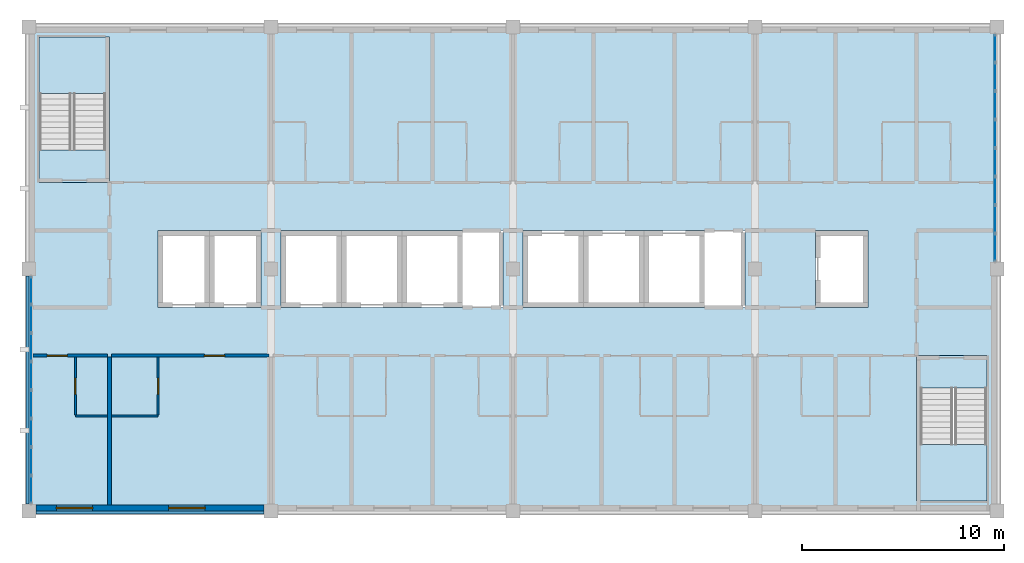
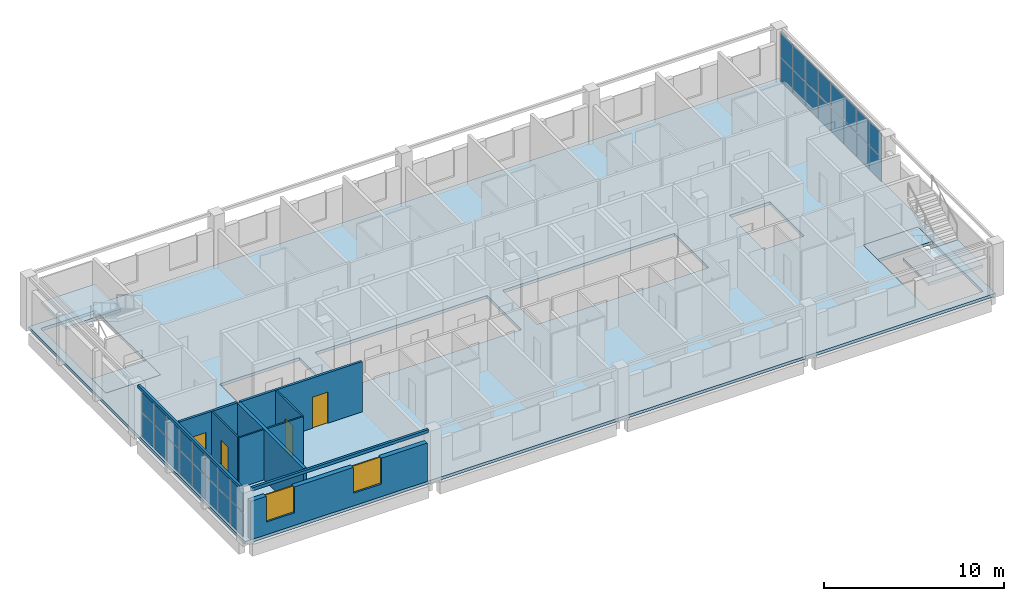
# One storey, part 5 of 11: 32 plates, 10 walls, 5 slabs, 4 doors, 2 windows, 6 openings, 4 elements without a shape of their own.
"""IFC4 building model written with IfcOpenShell, lengths in metres."""

from ifc_helpers import new_model, si_unit, direction, frame, frame_2d, origin, origin_2d, place, context, subcontext, project, spatial, polyline, rectangle, outline, extrude, material, layer, layer_set, type_object, element, fill, aggregate, save


model = new_model("IFC4")

# Units and contexts
model_context = context("Model", 3, precision=1e-05, world=origin(), true_north=direction((0.0, 1.0)))
body_context = subcontext(model_context, "Body", "Model", "MODEL_VIEW")
ifc_project = project(units=[si_unit("LENGTHUNIT", "METRE"), si_unit("AREAUNIT", "SQUARE_METRE"), si_unit("VOLUMEUNIT", "CUBIC_METRE"), si_unit("PLANEANGLEUNIT", "RADIAN"), si_unit("MASSUNIT", "GRAM", prefix="KILO")], contexts=[model_context])

# Site, building, storey
site_placement = place(None, origin())
site = spatial("IfcSite", under=ifc_project, at=site_placement, CompositionType="ELEMENT")
building_placement = place(site_placement, origin())
building = spatial("IfcBuilding", under=site, at=building_placement, Name="Lilac Gate Convention Centre", CompositionType="ELEMENT")
storey_placement = place(building_placement, frame((0.0, 0.0, 53.39990234375)))
storey = spatial("IfcBuildingStorey", under=building, at=storey_placement, Name="L13", CompositionType="ELEMENT", Elevation=53.39990234375)

# Curtain wall, plates
ifc_material_1 = material(Name="Aluminium framed double glazing", Category="aluminium")
ifc_layer_1 = layer(ifc_material_1, 0.199951171875)
ifc_layer_set_1 = layer_set([ifc_layer_1], Name="Aluminium framed double glazing")
curtain_wall_type = type_object("IfcCurtainWallType", Name="Unitised curtain wall 1500", PredefinedType="NOTDEFINED", material=ifc_layer_set_1)
curtain_wall_1_placement = place(storey_placement, origin())
curtain_wall_1 = element("IfcCurtainWall", 1, at=curtain_wall_1_placement, inside=storey, type_object=curtain_wall_type, Name="Curtain wall E L13 2", PredefinedType="NOTDEFINED")
ifc_material_2 = material(Name="Double glazed unit low emissivity")
ifc_layer_2 = layer(ifc_material_2, 0.028076171875)
ifc_layer_set_2 = layer_set([ifc_layer_2], Name="Double glazed unit low emissivity")
plate_type_1 = type_object("IfcPlateType", Name="Curtain wall glass panel 28", PredefinedType="CURTAIN_PANEL", material=ifc_layer_set_2)
plate_1_placement = place(storey_placement, frame((89.89990234375, 235.0712890625, 1.72998046875), z_axis=(0.0, 0.0, 1.0), x_axis=(0.0, 1.0, 0.0)))
plate_1 = element("IfcPlate", 2, at=plate_1_placement, type_object=plate_type_1, Name="CW panel 1.2", PredefinedType="CURTAIN_PANEL", context=body_context, shape_type="SweptSolid", body=[
    extrude(rectangle(XDim=1.322509765625, YDim=0.028076171875, at=origin_2d()), origin(), (0.0, 0.0, 1.0), 1.610107421875),
])
plate_2_placement = place(storey_placement, frame((89.89990234375, 236.46875, 1.72998046875), z_axis=(0.0, 0.0, 1.0), x_axis=(0.0, 1.0, 0.0)))
plate_2 = element("IfcPlate", 3, at=plate_2_placement, type_object=plate_type_1, Name="CW panel 2.2", PredefinedType="CURTAIN_PANEL", context=body_context, shape_type="SweptSolid", body=[
    extrude(rectangle(XDim=1.3525390625, YDim=0.028076171875, at=origin_2d()), origin(), (0.0, 0.0, 1.0), 1.610107421875),
])
plate_3_placement = place(storey_placement, frame((89.89990234375, 237.88134765625, 1.72998046875), z_axis=(0.0, 0.0, 1.0), x_axis=(0.0, 1.0, 0.0)))
plate_3 = element("IfcPlate", 4, at=plate_3_placement, type_object=plate_type_1, Name="CW panel 3.2", PredefinedType="CURTAIN_PANEL", context=body_context, shape_type="SweptSolid", body=[
    extrude(rectangle(XDim=1.3525390625, YDim=0.028076171875, at=origin_2d()), origin(), (0.0, 0.0, 1.0), 1.610107421875),
])
plate_4_placement = place(storey_placement, frame((89.89990234375, 239.293701171875, 1.72998046875), z_axis=(0.0, 0.0, 1.0), x_axis=(0.0, 1.0, 0.0)))
plate_4 = element("IfcPlate", 5, at=plate_4_placement, type_object=plate_type_1, Name="CW panel 4.2", PredefinedType="CURTAIN_PANEL", context=body_context, shape_type="SweptSolid", body=[
    extrude(rectangle(XDim=1.3525390625, YDim=0.028076171875, at=origin_2d()), origin(), (0.0, 0.0, 1.0), 1.610107421875),
])
plate_5_placement = place(storey_placement, frame((89.89990234375, 240.706298828125, 1.72998046875), z_axis=(0.0, 0.0, 1.0), x_axis=(0.0, 1.0, 0.0)))
plate_5 = element("IfcPlate", 6, at=plate_5_placement, type_object=plate_type_1, Name="CW panel 5.2", PredefinedType="CURTAIN_PANEL", context=body_context, shape_type="SweptSolid", body=[
    extrude(rectangle(XDim=1.3525390625, YDim=0.028076171875, at=origin_2d()), origin(), (0.0, 0.0, 1.0), 1.610107421875),
])
plate_6_placement = place(storey_placement, frame((89.89990234375, 242.11865234375, 1.72998046875), z_axis=(0.0, 0.0, 1.0), x_axis=(0.0, 1.0, 0.0)))
plate_6 = element("IfcPlate", 7, at=plate_6_placement, type_object=plate_type_1, Name="CW panel 6.2", PredefinedType="CURTAIN_PANEL", context=body_context, shape_type="SweptSolid", body=[
    extrude(rectangle(XDim=1.3525390625, YDim=0.028076171875, at=origin_2d()), origin(), (0.0, 0.0, 1.0), 1.610107421875),
])
plate_7_placement = place(storey_placement, frame((89.89990234375, 243.53125, 1.72998046875), z_axis=(0.0, 0.0, 1.0), x_axis=(0.0, 1.0, 0.0)))
plate_7 = element("IfcPlate", 8, at=plate_7_placement, type_object=plate_type_1, Name="CW panel 7.2", PredefinedType="CURTAIN_PANEL", context=body_context, shape_type="SweptSolid", body=[
    extrude(rectangle(XDim=1.3525390625, YDim=0.028076171875, at=origin_2d()), origin(), (0.0, 0.0, 1.0), 1.610107421875),
])
plate_8_placement = place(storey_placement, frame((89.89990234375, 244.9287109375, 1.72998046875), z_axis=(0.0, 0.0, 1.0), x_axis=(0.0, 1.0, 0.0)))
plate_8 = element("IfcPlate", 9, at=plate_8_placement, type_object=plate_type_1, Name="CW panel 8.2", PredefinedType="CURTAIN_PANEL", context=body_context, shape_type="SweptSolid", body=[
    extrude(rectangle(XDim=1.322509765625, YDim=0.028076171875, at=origin_2d()), origin(), (0.0, 0.0, 1.0), 1.610107421875),
])

curtain_wall_2_placement = place(storey_placement, origin())
curtain_wall_2 = element("IfcCurtainWall", 10, at=curtain_wall_2_placement, inside=storey, type_object=curtain_wall_type, Name="Curtain wall W L13 2", PredefinedType="NOTDEFINED")
plate_9_placement = place(storey_placement, frame((42.10009765625, 232.9287109375, 1.72998046875), z_axis=(0.0, 0.0, 1.0), x_axis=(0.0, -1.0, 0.0)))
plate_9 = element("IfcPlate", 11, at=plate_9_placement, type_object=plate_type_1, Name="CW panel 1.2", PredefinedType="CURTAIN_PANEL", context=body_context, shape_type="SweptSolid", body=[
    extrude(rectangle(XDim=1.322509765625, YDim=0.028076171875, at=origin_2d()), origin(), (0.0, 0.0, 1.0), 1.610107421875),
])
plate_10_placement = place(storey_placement, frame((42.10009765625, 231.53125, 1.72998046875), z_axis=(0.0, 0.0, 1.0), x_axis=(0.0, -1.0, 0.0)))
plate_10 = element("IfcPlate", 12, at=plate_10_placement, type_object=plate_type_1, Name="CW panel 2.2", PredefinedType="CURTAIN_PANEL", context=body_context, shape_type="SweptSolid", body=[
    extrude(rectangle(XDim=1.3525390625, YDim=0.028076171875, at=origin_2d()), origin(), (0.0, 0.0, 1.0), 1.610107421875),
])
plate_11_placement = place(storey_placement, frame((42.10009765625, 230.11865234375, 1.72998046875), z_axis=(0.0, 0.0, 1.0), x_axis=(0.0, -1.0, 0.0)))
plate_11 = element("IfcPlate", 13, at=plate_11_placement, type_object=plate_type_1, Name="CW panel 3.2", PredefinedType="CURTAIN_PANEL", context=body_context, shape_type="SweptSolid", body=[
    extrude(rectangle(XDim=1.3525390625, YDim=0.028076171875, at=origin_2d()), origin(), (0.0, 0.0, 1.0), 1.610107421875),
])
plate_12_placement = place(storey_placement, frame((42.10009765625, 228.706298828125, 1.72998046875), z_axis=(0.0, 0.0, 1.0), x_axis=(0.0, -1.0, 0.0)))
plate_12 = element("IfcPlate", 14, at=plate_12_placement, type_object=plate_type_1, Name="CW panel 4.2", PredefinedType="CURTAIN_PANEL", context=body_context, shape_type="SweptSolid", body=[
    extrude(rectangle(XDim=1.3525390625, YDim=0.028076171875, at=origin_2d()), origin(), (0.0, 0.0, 1.0), 1.610107421875),
])
plate_13_placement = place(storey_placement, frame((42.10009765625, 227.293701171875, 1.72998046875), z_axis=(0.0, 0.0, 1.0), x_axis=(0.0, -1.0, 0.0)))
plate_13 = element("IfcPlate", 15, at=plate_13_placement, type_object=plate_type_1, Name="CW panel 5.2", PredefinedType="CURTAIN_PANEL", context=body_context, shape_type="SweptSolid", body=[
    extrude(rectangle(XDim=1.3525390625, YDim=0.028076171875, at=origin_2d()), origin(), (0.0, 0.0, 1.0), 1.610107421875),
])
plate_14_placement = place(storey_placement, frame((42.10009765625, 225.88134765625, 1.72998046875), z_axis=(0.0, 0.0, 1.0), x_axis=(0.0, -1.0, 0.0)))
plate_14 = element("IfcPlate", 16, at=plate_14_placement, type_object=plate_type_1, Name="CW panel 6.2", PredefinedType="CURTAIN_PANEL", context=body_context, shape_type="SweptSolid", body=[
    extrude(rectangle(XDim=1.3525390625, YDim=0.028076171875, at=origin_2d()), origin(), (0.0, 0.0, 1.0), 1.610107421875),
])
plate_15_placement = place(storey_placement, frame((42.10009765625, 224.46875, 1.72998046875), z_axis=(0.0, 0.0, 1.0), x_axis=(0.0, -1.0, 0.0)))
plate_15 = element("IfcPlate", 17, at=plate_15_placement, type_object=plate_type_1, Name="CW panel 7.2", PredefinedType="CURTAIN_PANEL", context=body_context, shape_type="SweptSolid", body=[
    extrude(rectangle(XDim=1.3525390625, YDim=0.028076171875, at=origin_2d()), origin(), (0.0, 0.0, 1.0), 1.610107421875),
])
plate_16_placement = place(storey_placement, frame((42.10009765625, 223.0712890625, 1.72998046875), z_axis=(0.0, 0.0, 1.0), x_axis=(0.0, -1.0, 0.0)))
plate_16 = element("IfcPlate", 18, at=plate_16_placement, type_object=plate_type_1, Name="CW panel 8.2", PredefinedType="CURTAIN_PANEL", context=body_context, shape_type="SweptSolid", body=[
    extrude(rectangle(XDim=1.322509765625, YDim=0.028076171875, at=origin_2d()), origin(), (0.0, 0.0, 1.0), 1.610107421875),
])

# Plate
ifc_material_3 = material(Name="Insulated aluminium spandrel panel", Category="aluminium")
ifc_layer_3 = layer(ifc_material_3, 0.028076171875)
ifc_layer_set_3 = layer_set([ifc_layer_3], Name="Insulated aluminium spandrel panel")
plate_type_2 = type_object("IfcPlateType", Name="Curtain wall spandrel panel 28", PredefinedType="CURTAIN_PANEL", material=ifc_layer_set_3)
plate_17_placement = place(storey_placement, frame((89.89990234375, 235.0712890625, 0.06005859375), z_axis=(0.0, 0.0, 1.0), x_axis=(0.0, 1.0, 0.0)))
plate_17 = element("IfcPlate", 19, at=plate_17_placement, type_object=plate_type_2, Name="CW spandrel 1.1", PredefinedType="CURTAIN_PANEL", context=body_context, shape_type="SweptSolid", body=[
    extrude(rectangle(XDim=1.322509765625, YDim=0.028076171875, at=origin_2d()), origin(), (0.0, 0.0, 1.0), 1.610107421875),
])

plate_18_placement = place(storey_placement, frame((89.89990234375, 236.46875, 0.06005859375), z_axis=(0.0, 0.0, 1.0), x_axis=(0.0, 1.0, 0.0)))
plate_18 = element("IfcPlate", 20, at=plate_18_placement, type_object=plate_type_2, Name="CW spandrel 2.1", PredefinedType="CURTAIN_PANEL", context=body_context, shape_type="SweptSolid", body=[
    extrude(rectangle(XDim=1.3525390625, YDim=0.028076171875, at=origin_2d()), origin(), (0.0, 0.0, 1.0), 1.610107421875),
])

plate_19_placement = place(storey_placement, frame((89.89990234375, 237.88134765625, 0.06005859375), z_axis=(0.0, 0.0, 1.0), x_axis=(0.0, 1.0, 0.0)))
plate_19 = element("IfcPlate", 21, at=plate_19_placement, type_object=plate_type_2, Name="CW spandrel 3.1", PredefinedType="CURTAIN_PANEL", context=body_context, shape_type="SweptSolid", body=[
    extrude(rectangle(XDim=1.3525390625, YDim=0.028076171875, at=origin_2d()), origin(), (0.0, 0.0, 1.0), 1.610107421875),
])

plate_20_placement = place(storey_placement, frame((89.89990234375, 239.293701171875, 0.06005859375), z_axis=(0.0, 0.0, 1.0), x_axis=(0.0, 1.0, 0.0)))
plate_20 = element("IfcPlate", 22, at=plate_20_placement, type_object=plate_type_2, Name="CW spandrel 4.1", PredefinedType="CURTAIN_PANEL", context=body_context, shape_type="SweptSolid", body=[
    extrude(rectangle(XDim=1.3525390625, YDim=0.028076171875, at=origin_2d()), origin(), (0.0, 0.0, 1.0), 1.610107421875),
])

plate_21_placement = place(storey_placement, frame((89.89990234375, 240.706298828125, 0.06005859375), z_axis=(0.0, 0.0, 1.0), x_axis=(0.0, 1.0, 0.0)))
plate_21 = element("IfcPlate", 23, at=plate_21_placement, type_object=plate_type_2, Name="CW spandrel 5.1", PredefinedType="CURTAIN_PANEL", context=body_context, shape_type="SweptSolid", body=[
    extrude(rectangle(XDim=1.3525390625, YDim=0.028076171875, at=origin_2d()), origin(), (0.0, 0.0, 1.0), 1.610107421875),
])

plate_22_placement = place(storey_placement, frame((89.89990234375, 242.11865234375, 0.06005859375), z_axis=(0.0, 0.0, 1.0), x_axis=(0.0, 1.0, 0.0)))
plate_22 = element("IfcPlate", 24, at=plate_22_placement, type_object=plate_type_2, Name="CW spandrel 6.1", PredefinedType="CURTAIN_PANEL", context=body_context, shape_type="SweptSolid", body=[
    extrude(rectangle(XDim=1.3525390625, YDim=0.028076171875, at=origin_2d()), origin(), (0.0, 0.0, 1.0), 1.610107421875),
])

plate_23_placement = place(storey_placement, frame((89.89990234375, 243.53125, 0.06005859375), z_axis=(0.0, 0.0, 1.0), x_axis=(0.0, 1.0, 0.0)))
plate_23 = element("IfcPlate", 25, at=plate_23_placement, type_object=plate_type_2, Name="CW spandrel 7.1", PredefinedType="CURTAIN_PANEL", context=body_context, shape_type="SweptSolid", body=[
    extrude(rectangle(XDim=1.3525390625, YDim=0.028076171875, at=origin_2d()), origin(), (0.0, 0.0, 1.0), 1.610107421875),
])

plate_24_placement = place(storey_placement, frame((89.89990234375, 244.9287109375, 0.06005859375), z_axis=(0.0, 0.0, 1.0), x_axis=(0.0, 1.0, 0.0)))
plate_24 = element("IfcPlate", 26, at=plate_24_placement, type_object=plate_type_2, Name="CW spandrel 8.1", PredefinedType="CURTAIN_PANEL", context=body_context, shape_type="SweptSolid", body=[
    extrude(rectangle(XDim=1.322509765625, YDim=0.028076171875, at=origin_2d()), origin(), (0.0, 0.0, 1.0), 1.610107421875),
])

aggregate(curtain_wall_1, [plate_17, plate_1, plate_18, plate_2, plate_19, plate_3, plate_20, plate_4, plate_21, plate_5, plate_22, plate_6, plate_23, plate_7, plate_24, plate_8])

plate_25_placement = place(storey_placement, frame((42.10009765625, 232.9287109375, 0.06005859375), z_axis=(0.0, 0.0, 1.0), x_axis=(0.0, -1.0, 0.0)))
plate_25 = element("IfcPlate", 27, at=plate_25_placement, type_object=plate_type_2, Name="CW spandrel 1.1", PredefinedType="CURTAIN_PANEL", context=body_context, shape_type="SweptSolid", body=[
    extrude(rectangle(XDim=1.322509765625, YDim=0.028076171875, at=origin_2d()), origin(), (0.0, 0.0, 1.0), 1.610107421875),
])

plate_26_placement = place(storey_placement, frame((42.10009765625, 231.53125, 0.06005859375), z_axis=(0.0, 0.0, 1.0), x_axis=(0.0, -1.0, 0.0)))
plate_26 = element("IfcPlate", 28, at=plate_26_placement, type_object=plate_type_2, Name="CW spandrel 2.1", PredefinedType="CURTAIN_PANEL", context=body_context, shape_type="SweptSolid", body=[
    extrude(rectangle(XDim=1.3525390625, YDim=0.028076171875, at=origin_2d()), origin(), (0.0, 0.0, 1.0), 1.610107421875),
])

plate_27_placement = place(storey_placement, frame((42.10009765625, 230.11865234375, 0.06005859375), z_axis=(0.0, 0.0, 1.0), x_axis=(0.0, -1.0, 0.0)))
plate_27 = element("IfcPlate", 29, at=plate_27_placement, type_object=plate_type_2, Name="CW spandrel 3.1", PredefinedType="CURTAIN_PANEL", context=body_context, shape_type="SweptSolid", body=[
    extrude(rectangle(XDim=1.3525390625, YDim=0.028076171875, at=origin_2d()), origin(), (0.0, 0.0, 1.0), 1.610107421875),
])

plate_28_placement = place(storey_placement, frame((42.10009765625, 228.706298828125, 0.06005859375), z_axis=(0.0, 0.0, 1.0), x_axis=(0.0, -1.0, 0.0)))
plate_28 = element("IfcPlate", 30, at=plate_28_placement, type_object=plate_type_2, Name="CW spandrel 4.1", PredefinedType="CURTAIN_PANEL", context=body_context, shape_type="SweptSolid", body=[
    extrude(rectangle(XDim=1.3525390625, YDim=0.028076171875, at=origin_2d()), origin(), (0.0, 0.0, 1.0), 1.610107421875),
])

plate_29_placement = place(storey_placement, frame((42.10009765625, 227.293701171875, 0.06005859375), z_axis=(0.0, 0.0, 1.0), x_axis=(0.0, -1.0, 0.0)))
plate_29 = element("IfcPlate", 31, at=plate_29_placement, type_object=plate_type_2, Name="CW spandrel 5.1", PredefinedType="CURTAIN_PANEL", context=body_context, shape_type="SweptSolid", body=[
    extrude(rectangle(XDim=1.3525390625, YDim=0.028076171875, at=origin_2d()), origin(), (0.0, 0.0, 1.0), 1.610107421875),
])

plate_30_placement = place(storey_placement, frame((42.10009765625, 225.88134765625, 0.06005859375), z_axis=(0.0, 0.0, 1.0), x_axis=(0.0, -1.0, 0.0)))
plate_30 = element("IfcPlate", 32, at=plate_30_placement, type_object=plate_type_2, Name="CW spandrel 6.1", PredefinedType="CURTAIN_PANEL", context=body_context, shape_type="SweptSolid", body=[
    extrude(rectangle(XDim=1.3525390625, YDim=0.028076171875, at=origin_2d()), origin(), (0.0, 0.0, 1.0), 1.610107421875),
])

plate_31_placement = place(storey_placement, frame((42.10009765625, 224.46875, 0.06005859375), z_axis=(0.0, 0.0, 1.0), x_axis=(0.0, -1.0, 0.0)))
plate_31 = element("IfcPlate", 33, at=plate_31_placement, type_object=plate_type_2, Name="CW spandrel 7.1", PredefinedType="CURTAIN_PANEL", context=body_context, shape_type="SweptSolid", body=[
    extrude(rectangle(XDim=1.3525390625, YDim=0.028076171875, at=origin_2d()), origin(), (0.0, 0.0, 1.0), 1.610107421875),
])

plate_32_placement = place(storey_placement, frame((42.10009765625, 223.0712890625, 0.06005859375), z_axis=(0.0, 0.0, 1.0), x_axis=(0.0, -1.0, 0.0)))
plate_32 = element("IfcPlate", 34, at=plate_32_placement, type_object=plate_type_2, Name="CW spandrel 8.1", PredefinedType="CURTAIN_PANEL", context=body_context, shape_type="SweptSolid", body=[
    extrude(rectangle(XDim=1.322509765625, YDim=0.028076171875, at=origin_2d()), origin(), (0.0, 0.0, 1.0), 1.610107421875),
])

aggregate(curtain_wall_2, [plate_25, plate_9, plate_26, plate_10, plate_27, plate_11, plate_28, plate_12, plate_29, plate_13, plate_30, plate_14, plate_31, plate_15, plate_32, plate_16])

# Stair, slabs
ifc_material_4 = material(Name="Concrete C40", Category="concrete")
stair_type = type_object("IfcStairType", Name="Exit stair", PredefinedType="DOUBLE_RETURN_STAIR", material=ifc_material_4)
stair_1_placement = place(storey_placement, origin())
stair_1 = element("IfcStair", 35, at=stair_1_placement, inside=storey, type_object=stair_type, Name="Exit stair NW L13", PredefinedType="DOUBLE_RETURN_STAIR")
ifc_layer_4 = layer(ifc_material_4, 0.199951171875)
ifc_layer_set_4 = layer_set([ifc_layer_4], Name="Concrete C40")
slab_type_1 = type_object("IfcSlabType", Name="Exit stair landing", PredefinedType="LANDING", material=ifc_layer_set_4)
slab_1_placement = place(storey_placement, frame((0.0, 0.0, -0.199951171875)))
slab_1 = element("IfcSlab", 36, at=slab_1_placement, type_object=slab_type_1, Name="ST-NW landing 1", PredefinedType="LANDING", context=body_context, shape_type="SweptSolid", body=[
    extrude(outline(polyline([(42.5, 238.300048828125), (46.0, 238.300048828125), (46.0, 239.89990234375), (42.5, 239.89990234375), (42.5, 238.300048828125)])), origin(), (0.0, 0.0, 1.0), 0.199951171875),
])
slab_2_placement = place(storey_placement, frame((0.0, 0.0, 1.60009765625)))
slab_2 = element("IfcSlab", 37, at=slab_2_placement, type_object=slab_type_1, Name="ST-NW landing 2", PredefinedType="LANDING", context=body_context, shape_type="SweptSolid", body=[
    extrude(outline(polyline([(42.5, 242.699951171875), (46.0, 242.699951171875), (46.0, 245.5), (42.5, 245.5), (42.5, 242.699951171875)])), origin(), (0.0, 0.0, 1.0), 0.199951171875),
])
aggregate(stair_1, [slab_1, slab_2])

stair_2_placement = place(storey_placement, origin())
stair_2 = element("IfcStair", 38, at=stair_2_placement, inside=storey, type_object=stair_type, Name="Exit stair SE L13", PredefinedType="DOUBLE_RETURN_STAIR")
slab_3_placement = place(storey_placement, frame((0.0, 0.0, -0.199951171875)))
slab_3 = element("IfcSlab", 39, at=slab_3_placement, type_object=slab_type_1, Name="ST-SE landing 1", PredefinedType="LANDING", context=body_context, shape_type="SweptSolid", body=[
    extrude(outline(polyline([(86.0, 228.10009765625), (89.5, 228.10009765625), (89.5, 229.699951171875), (86.0, 229.699951171875), (86.0, 228.10009765625)])), origin(), (0.0, 0.0, 1.0), 0.199951171875),
])
slab_4_placement = place(storey_placement, frame((0.0, 0.0, 1.60009765625)))
slab_4 = element("IfcSlab", 40, at=slab_4_placement, type_object=slab_type_1, Name="ST-SE landing 2", PredefinedType="LANDING", context=body_context, shape_type="SweptSolid", body=[
    extrude(outline(polyline([(86.0, 222.5), (89.5, 222.5), (89.5, 225.300048828125), (86.0, 225.300048828125), (86.0, 222.5)])), origin(), (0.0, 0.0, 1.0), 0.199951171875),
])
aggregate(stair_2, [slab_3, slab_4])

# Slab
ifc_layer_5 = layer(ifc_material_4, 0.199951171875)
ifc_layer_set_5 = layer_set([ifc_layer_5], Name="Concrete C40")
slab_type_2 = type_object("IfcSlabType", Name="Floor slab 200 C40", PredefinedType="FLOOR", material=ifc_layer_set_5)
slab_5_placement = place(storey_placement, frame((0.0, 0.0, -0.199951171875)))
element("IfcSlab", 41, at=slab_5_placement, inside=storey, type_object=slab_type_2, Name="FS3 slab L13 1", PredefinedType="FLOOR", context=body_context, shape_type="SweptSolid", body=[
    extrude(outline(polyline([(42.0, 222.0), (42.0, 246.0), (90.0, 246.0), (90.0, 222.0), (42.0, 222.0)]), holes=[polyline([(48.39990234375, 235.89990234375), (48.39990234375, 232.10009765625), (50.949951171875, 232.10009765625), (53.5, 232.10009765625), (53.5, 235.89990234375), (50.949951171875, 235.89990234375), (48.39990234375, 235.89990234375)]), polyline([(57.5, 235.89990234375), (54.5, 235.89990234375), (54.5, 232.10009765625), (57.5, 232.10009765625), (60.5, 232.10009765625), (63.5, 232.10009765625), (65.5, 232.10009765625), (65.5, 235.89990234375), (63.5, 235.89990234375), (60.5, 235.89990234375), (57.5, 235.89990234375)]), polyline([(42.5, 245.5), (42.5, 238.300048828125), (46.0, 238.300048828125), (46.0, 245.5), (42.5, 245.5)]), polyline([(89.5, 229.699951171875), (86.0, 229.699951171875), (86.0, 222.5), (89.5, 222.5), (89.5, 229.699951171875)]), polyline([(69.5, 235.89990234375), (66.5, 235.89990234375), (66.5, 232.10009765625), (69.5, 232.10009765625), (72.5, 232.10009765625), (75.5, 232.10009765625), (77.5, 232.10009765625), (77.5, 235.89990234375), (75.5, 235.89990234375), (72.5, 235.89990234375), (69.5, 235.89990234375)]), polyline([(83.60009765625, 235.89990234375), (81.0, 235.89990234375), (81.0, 232.10009765625), (83.60009765625, 232.10009765625), (83.60009765625, 235.89990234375)])]), origin(), (0.0, 0.0, 1.0), 0.199951171875),
])

# Wall, opening, door
ifc_material_5 = material(Name="Gypsum board on steel stud", Category="steel")
ifc_layer_6 = layer(ifc_material_5, 0.14990234375)
ifc_layer_set_6 = layer_set([ifc_layer_6], Name="Gypsum board on steel stud")
wall_type_1 = type_object("IfcWallType", Name="Corridor wall 150", PredefinedType="PARTITIONING", material=ifc_layer_set_6)
wall_1_placement = place(storey_placement, frame((45.89990234375, 229.699951171875, 0.0), z_axis=(0.0, 0.0, 1.0), x_axis=(-1.0, 0.0, 0.0)))
wall_1 = element("IfcWall", 42, at=wall_1_placement, inside=storey, type_object=wall_type_1, Name="Corridor wall 150 front 1301", PredefinedType="PARTITIONING", context=body_context, shape_type="SweptSolid", body=[
    extrude(rectangle(XDim=3.69970703125, YDim=0.14990234375, at=frame_2d((1.849853515625, 0.0))), origin(), (0.0, 0.0, 1.0), 3.400146484375),
])
opening_1_placement = place(wall_1_placement, frame((2.0, 0.0, 0.0)))
opening_1 = element("IfcOpeningElement", 43, at=opening_1_placement, cuts=wall_1, Name="Opening T13-008", PredefinedType="OPENING", context=body_context, shape_type="SweptSolid", body=[
    extrude(rectangle(XDim=1.0, YDim=2.10009765625, at=frame_2d((0.5, 1.050048828125))), frame((0.0, 0.0849609375, 0.0), z_axis=(0.0, -1.0, 0.0), x_axis=(1.0, 0.0, 0.0)), (0.0, 0.0, 1.0), 0.169921875),
])
ifc_material_6 = material(Name="Timber", Category="wood")
door_type_1 = type_object("IfcDoorType", Name="Guest room entrance door 1000", OperationType="SINGLE_SWING_LEFT", PredefinedType="DOOR", material=ifc_material_6)
door_1_placement = place(opening_1_placement, origin())
door_1 = element("IfcDoor", 44, at=door_1_placement, inside=storey, type_object=door_type_1, Name="Guest room door 1301", OperationType="SINGLE_SWING_LEFT", OverallHeight=2.10009765625, OverallWidth=1.0, PredefinedType="DOOR", context=body_context, shape_type="SweptSolid", body=[
    extrude(rectangle(XDim=1.0, YDim=2.10009765625, at=frame_2d((0.5, 1.050048828125))), frame((0.0, 0.02490234375, 0.0), z_axis=(0.0, -1.0, 0.0), x_axis=(1.0, 0.0, 0.0)), (0.0, 0.0, 1.0), 0.050048828125),
])
fill(opening_1, door_1)

wall_2_placement = place(storey_placement, frame((53.89990234375, 229.699951171875, 0.0), z_axis=(0.0, 0.0, 1.0), x_axis=(-1.0, 0.0, 0.0)))
wall_2 = element("IfcWall", 45, at=wall_2_placement, inside=storey, type_object=wall_type_1, Name="Corridor wall 150 front 1302", PredefinedType="PARTITIONING", context=body_context, shape_type="SweptSolid", body=[
    extrude(rectangle(XDim=7.7998046875, YDim=0.14990234375, at=frame_2d((3.89990234375, 0.0))), origin(), (0.0, 0.0, 1.0), 3.400146484375),
])
opening_2_placement = place(wall_2_placement, frame((2.199951171875, 0.0, 0.0)))
opening_2 = element("IfcOpeningElement", 46, at=opening_2_placement, cuts=wall_2, Name="Opening T13-010", PredefinedType="OPENING", context=body_context, shape_type="SweptSolid", body=[
    extrude(rectangle(XDim=1.0, YDim=2.10009765625, at=frame_2d((0.5, 1.050048828125))), frame((0.0, 0.0849609375, 0.0), z_axis=(0.0, -1.0, 0.0), x_axis=(1.0, 0.0, 0.0)), (0.0, 0.0, 1.0), 0.169921875),
])
door_2_placement = place(opening_2_placement, origin())
door_2 = element("IfcDoor", 47, at=door_2_placement, inside=storey, type_object=door_type_1, Name="Guest room door 1302", OperationType="SINGLE_SWING_LEFT", OverallHeight=2.10009765625, OverallWidth=1.0, PredefinedType="DOOR", context=body_context, shape_type="SweptSolid", body=[
    extrude(rectangle(XDim=1.0, YDim=2.10009765625, at=frame_2d((0.5, 1.050048828125))), frame((0.0, 0.02490234375, 0.0), z_axis=(0.0, -1.0, 0.0), x_axis=(1.0, 0.0, 0.0)), (0.0, 0.0, 1.0), 0.050048828125),
])
fill(opening_2, door_2)

# Wall
ifc_layer_7 = layer(ifc_material_5, 0.10009765625)
ifc_layer_set_7 = layer_set([ifc_layer_7], Name="Gypsum board on steel stud")
wall_type_2 = type_object("IfcWallType", Name="En-suite wall 100", PredefinedType="PARTITIONING", material=ifc_layer_set_7)
wall_3_placement = place(storey_placement, frame((44.300048828125, 226.699951171875, 0.0), z_axis=(0.0, 0.0, 1.0), x_axis=(1.0, 0.0, 0.0)))
element("IfcWall", 48, at=wall_3_placement, inside=storey, type_object=wall_type_2, Name="En-suite wall 100 bath 1301", PredefinedType="PARTITIONING", context=body_context, shape_type="SweptSolid", body=[
    extrude(rectangle(XDim=1.599853515625, YDim=0.10009765625, at=frame_2d((0.7998046875, 0.0))), origin(), (0.0, 0.0, 1.0), 3.400146484375),
])

# Wall, opening, door
wall_4_placement = place(storey_placement, frame((44.300048828125, 226.75, 0.0), z_axis=(0.0, 0.0, 1.0), x_axis=(0.0, 1.0, 0.0)))
wall_4 = element("IfcWall", 49, at=wall_4_placement, inside=storey, type_object=wall_type_2, Name="En-suite wall 100 bath side 1301", PredefinedType="PARTITIONING", context=body_context, shape_type="SweptSolid", body=[
    extrude(rectangle(XDim=2.875, YDim=0.10009765625, at=frame_2d((1.4375, 0.0))), origin(), (0.0, 0.0, 1.0), 3.400146484375),
])
opening_3_placement = place(wall_4_placement, frame((1.03759765625, 0.0, 0.0)))
opening_3 = element("IfcOpeningElement", 50, at=opening_3_placement, cuts=wall_4, Name="Opening T13-009", PredefinedType="OPENING", context=body_context, shape_type="SweptSolid", body=[
    extrude(rectangle(XDim=0.800048828125, YDim=2.10009765625, at=frame_2d((0.39990234375, 1.050048828125))), frame((0.0, 0.06005859375, 0.0), z_axis=(0.0, -1.0, 0.0), x_axis=(1.0, 0.0, 0.0)), (0.0, 0.0, 1.0), 0.1201171875),
])
door_type_2 = type_object("IfcDoorType", Name="En-suite door 800", OperationType="SINGLE_SWING_LEFT", PredefinedType="DOOR", material=ifc_material_6)
door_3_placement = place(opening_3_placement, origin())
door_3 = element("IfcDoor", 51, at=door_3_placement, inside=storey, type_object=door_type_2, Name="En-suite door 1301", OperationType="SINGLE_SWING_RIGHT", OverallHeight=2.10009765625, OverallWidth=0.800048828125, PredefinedType="DOOR", context=body_context, shape_type="SweptSolid", body=[
    extrude(rectangle(XDim=0.800048828125, YDim=2.10009765625, at=frame_2d((0.39990234375, 1.050048828125))), frame((0.0, 0.02490234375, 0.0), z_axis=(0.0, -1.0, 0.0), x_axis=(1.0, 0.0, 0.0)), (0.0, 0.0, 1.0), 0.050048828125),
])
fill(opening_3, door_3)

# Wall
wall_5_placement = place(storey_placement, frame((46.10009765625, 226.699951171875, 0.0), z_axis=(0.0, 0.0, 1.0), x_axis=(1.0, 0.0, 0.0)))
element("IfcWall", 52, at=wall_5_placement, inside=storey, type_object=wall_type_2, Name="En-suite wall 100 bath 1302", PredefinedType="PARTITIONING", context=body_context, shape_type="SweptSolid", body=[
    extrude(rectangle(XDim=2.2998046875, YDim=0.10009765625, at=frame_2d((1.14990234375, 0.0))), origin(), (0.0, 0.0, 1.0), 3.400146484375),
])

# Wall, opening, door
wall_6_placement = place(storey_placement, frame((48.39990234375, 229.625, 0.0), z_axis=(0.0, 0.0, 1.0), x_axis=(0.0, -1.0, 0.0)))
wall_6 = element("IfcWall", 53, at=wall_6_placement, inside=storey, type_object=wall_type_2, Name="En-suite wall 100 bath side 1302", PredefinedType="PARTITIONING", context=body_context, shape_type="SweptSolid", body=[
    extrude(rectangle(XDim=2.875, YDim=0.10009765625, at=frame_2d((1.4375, 0.0))), origin(), (0.0, 0.0, 1.0), 3.400146484375),
])
opening_4_placement = place(wall_6_placement, frame((1.03759765625, 0.0, 0.0)))
opening_4 = element("IfcOpeningElement", 54, at=opening_4_placement, cuts=wall_6, Name="Opening T13-011", PredefinedType="OPENING", context=body_context, shape_type="SweptSolid", body=[
    extrude(rectangle(XDim=0.800048828125, YDim=2.10009765625, at=frame_2d((0.39990234375, 1.050048828125))), frame((0.0, 0.06005859375, 0.0), z_axis=(0.0, -1.0, 0.0), x_axis=(1.0, 0.0, 0.0)), (0.0, 0.0, 1.0), 0.1201171875),
])
door_4_placement = place(opening_4_placement, origin())
door_4 = element("IfcDoor", 55, at=door_4_placement, inside=storey, type_object=door_type_2, Name="En-suite door 1302", OperationType="SINGLE_SWING_LEFT", OverallHeight=2.10009765625, OverallWidth=0.800048828125, PredefinedType="DOOR", context=body_context, shape_type="SweptSolid", body=[
    extrude(rectangle(XDim=0.800048828125, YDim=2.10009765625, at=frame_2d((0.39990234375, 1.050048828125))), frame((0.0, 0.02490234375, 0.0), z_axis=(0.0, -1.0, 0.0), x_axis=(1.0, 0.0, 0.0)), (0.0, 0.0, 1.0), 0.050048828125),
])
fill(opening_4, door_4)

# Walls
ifc_layer_8 = layer(ifc_material_5, 0.199951171875)
ifc_layer_set_8 = layer_set([ifc_layer_8], Name="Gypsum board on steel stud")
wall_type_3 = type_object("IfcWallType", Name="Guest room party wall 200", PredefinedType="PARTITIONING", material=ifc_layer_set_8)
wall_7_placement = place(storey_placement, frame((46.0, 222.2998046875, 0.0), z_axis=(0.0, 0.0, 1.0), x_axis=(0.0, 1.0, 0.0)))
element("IfcWall", 56, at=wall_7_placement, inside=storey, type_object=wall_type_3, Name="Guest room party wall 200 party 46.0", PredefinedType="PARTITIONING", context=body_context, shape_type="SweptSolid", body=[
    extrude(rectangle(XDim=7.3251953125, YDim=0.199951171875, at=frame_2d((3.66259765625, 0.0))), origin(), (0.0, 0.0, 1.0), 3.400146484375),
])
ifc_material_7 = material(Name="Concrete C40 precast", Category="concrete")
ifc_layer_9 = layer(ifc_material_7, 0.1298828125)
ifc_material_8 = material(Name="Ochre mineral render")
ifc_layer_10 = layer(ifc_material_8, 0.02001953125)
ifc_layer_set_9 = layer_set([ifc_layer_9, ifc_layer_10], Name="Concrete C40 precast, Ochre mineral render")
wall_type_4 = type_object("IfcWallType", Name="Precast band ochre 150", PredefinedType="STANDARD", material=ifc_layer_set_9)
for number, where, z_axis, x_axis, name in (
    (57, (42.35009765625, 221.925048828125, 3.400146484375), (0.0, 0.0, 1.0), (1.0, 0.0, 0.0), "Precast band S L13 1"),
    (58, (41.925048828125, 233.64990234375, 3.400146484375), (0.0, 0.0, 1.0), (0.0, -1.0, 0.0), "Precast band W L13 2"),
):
    element("IfcWall", number, at=place(storey_placement, frame(where, z_axis=z_axis, x_axis=x_axis)), inside=storey, type_object=wall_type_4, Name=name, PredefinedType="STANDARD", context=body_context, shape_type="SweptSolid", body=[
        extrude(rectangle(XDim=11.2998046875, YDim=0.14990234375, at=frame_2d((5.64990234375, 0.0))), origin(), (0.0, 0.0, 1.0), 0.199951171875),
    ])

# Wall, openings, windows
ifc_material_9 = material(Name="Terracotta glazed cladding", Category="masonry")
ifc_layer_11 = layer(ifc_material_9, 0.02001953125)
ifc_layer_12 = layer(ifc_material_7, 0.06005859375)
ifc_material_10 = material(Name="Ventilated air cavity")
ifc_layer_13 = layer(ifc_material_10, 0.030029296875)
ifc_material_11 = material(Name="Mineral wool insulation")
ifc_layer_14 = layer(ifc_material_11, 0.1201171875)
ifc_material_12 = material(Name="Steel stud Q345 and gypsum lining", Category="steel")
ifc_layer_15 = layer(ifc_material_12, 0.070068359375)
ifc_layer_set_10 = layer_set([ifc_layer_11, ifc_layer_12, ifc_layer_13, ifc_layer_14, ifc_layer_15], Name="Terracotta glazed cladding, Concrete C40 precast, Ventilated air cavity, Mineral wool insulation, Steel stud Q345 and gypsum lining")
wall_type_5 = type_object("IfcWallType", Name="Precast panel wall terracotta 300", PredefinedType="STANDARD", material=ifc_layer_set_10)
wall_8_placement = place(storey_placement, frame((42.35009765625, 222.14990234375, 0.0), z_axis=(0.0, 0.0, 1.0), x_axis=(1.0, 0.0, 0.0)))
wall_8 = element("IfcWall", 59, at=wall_8_placement, inside=storey, type_object=wall_type_5, Name="External wall S L13 1", PredefinedType="STANDARD", context=body_context, shape_type="SweptSolid", body=[
    extrude(rectangle(XDim=11.2998046875, YDim=0.300048828125, at=frame_2d((5.64990234375, 0.0))), origin(), (0.0, 0.0, 1.0), 2.60009765625),
])
opening_5_placement = place(wall_8_placement, frame((1.0, 0.0, 0.85009765625)))
opening_5 = element("IfcOpeningElement", 60, at=opening_5_placement, cuts=wall_8, Name="Opening W1", PredefinedType="OPENING", context=body_context, shape_type="SweptSolid", body=[
    extrude(rectangle(XDim=1.800048828125, YDim=1.75, at=frame_2d((0.89990234375, 0.875))), frame((0.0, 0.159912109375, 0.0), z_axis=(0.0, -1.0, 0.0), x_axis=(1.0, 0.0, 0.0)), (0.0, 0.0, 1.0), 0.320068359375),
])
opening_6_placement = place(wall_8_placement, frame((6.574951171875, 0.0, 0.85009765625)))
opening_6 = element("IfcOpeningElement", 61, at=opening_6_placement, cuts=wall_8, Name="Opening W1", PredefinedType="OPENING", context=body_context, shape_type="SweptSolid", body=[
    extrude(rectangle(XDim=1.800048828125, YDim=1.75, at=frame_2d((0.89990234375, 0.875))), frame((0.0, 0.159912109375, 0.0), z_axis=(0.0, -1.0, 0.0), x_axis=(1.0, 0.0, 0.0)), (0.0, 0.0, 1.0), 0.320068359375),
])
window_type = type_object("IfcWindowType", Name="Guest room window 1800 x 1750", PartitioningType="DOUBLE_PANEL_VERTICAL", PredefinedType="WINDOW", material=ifc_material_1)
window_1_placement = place(opening_5_placement, origin())
window_1 = element("IfcWindow", 62, at=window_1_placement, inside=storey, type_object=window_type, Name="Window Guest S L13", OverallHeight=1.75, OverallWidth=1.800048828125, PartitioningType="SINGLE_PANEL", PredefinedType="WINDOW", context=body_context, shape_type="SweptSolid", body=[
    extrude(rectangle(XDim=1.800048828125, YDim=1.75, at=frame_2d((0.89990234375, 0.875))), frame((0.0, 0.030029296875, 0.0), z_axis=(0.0, -1.0, 0.0), x_axis=(1.0, 0.0, 0.0)), (0.0, 0.0, 1.0), 0.06005859375),
])
fill(opening_5, window_1)
window_2_placement = place(opening_6_placement, origin())
window_2 = element("IfcWindow", 63, at=window_2_placement, inside=storey, type_object=window_type, Name="Window Guest S L13", OverallHeight=1.75, OverallWidth=1.800048828125, PartitioningType="SINGLE_PANEL", PredefinedType="WINDOW", context=body_context, shape_type="SweptSolid", body=[
    extrude(rectangle(XDim=1.800048828125, YDim=1.75, at=frame_2d((0.89990234375, 0.875))), frame((0.0, 0.030029296875, 0.0), z_axis=(0.0, -1.0, 0.0), x_axis=(1.0, 0.0, 0.0)), (0.0, 0.0, 1.0), 0.06005859375),
])
fill(opening_6, window_2)

save(model, "model.ifc")
